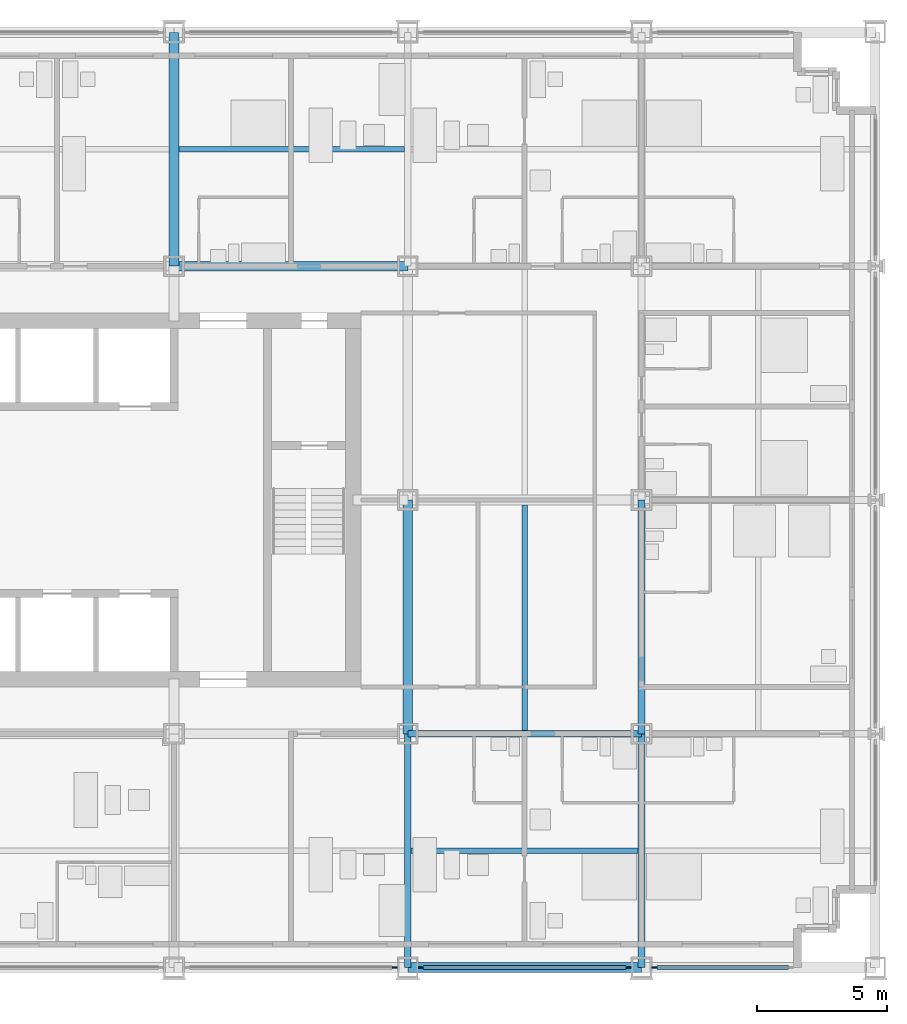
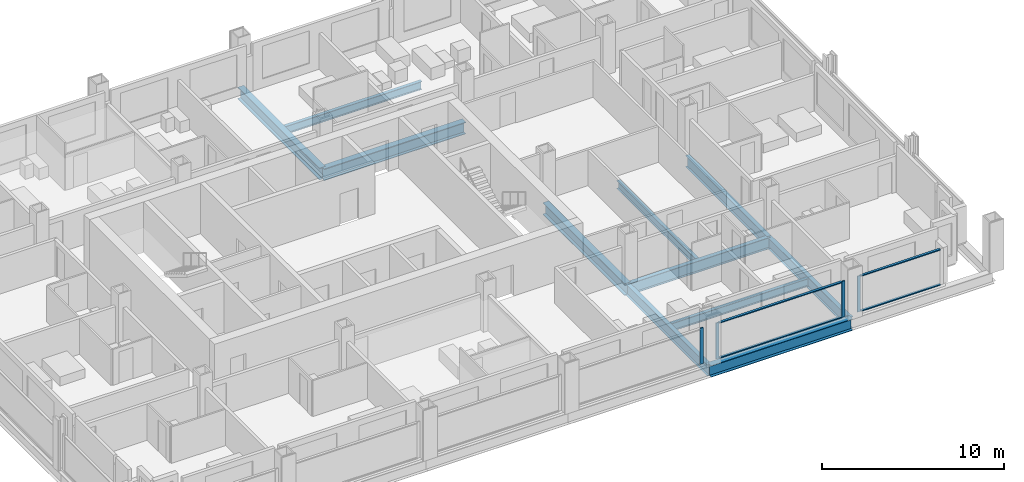
# One storey, part 5 of 18: 11 beams, 8 members, 3 elements without a shape of their own.
"""IFC4 building model written with IfcOpenShell, lengths in metres."""

from ifc_helpers import new_model, si_unit, direction, frame, origin, origin_2d, place, context, subcontext, project, spatial, rectangle, i_section, extrude, material, material_profile, profile_set, type_object, element, aggregate, save


model = new_model("IFC4")

# Units and contexts
model_context = context("Model", 3, precision=1e-05, world=origin(), true_north=direction((0.0, 1.0)))
body_context = subcontext(model_context, "Body", "Model", "MODEL_VIEW")
ifc_project = project(units=[si_unit("LENGTHUNIT", "METRE"), si_unit("AREAUNIT", "SQUARE_METRE"), si_unit("VOLUMEUNIT", "CUBIC_METRE"), si_unit("PLANEANGLEUNIT", "RADIAN"), si_unit("MASSUNIT", "GRAM", prefix="KILO")], contexts=[model_context])

# Site, building, storey
site_placement = place(None, origin())
site = spatial("IfcSite", under=ifc_project, at=site_placement, CompositionType="ELEMENT")
building_placement = place(site_placement, origin())
building = spatial("IfcBuilding", under=site, at=building_placement, Name="Loomwork Tower", CompositionType="ELEMENT")
storey_placement = place(building_placement, frame((0.0, 0.0, 79.0)))
storey = spatial("IfcBuildingStorey", under=building, at=storey_placement, Name="L20", CompositionType="ELEMENT", Elevation=79.0)

# Beams
ifc_material_1 = material(Name="Steel ASTM A992", Category="steel")
ifc_material_profile_1 = material_profile(ifc_material_1, i_section(OverallWidth=0.383544921875, OverallDepth=0.794921875, WebThickness=0.02099609375, FlangeThickness=0.0380859375, at=origin_2d()), Name="W30x235")
ifc_profile_set_1 = profile_set([ifc_material_profile_1], Name="Steel ASTM A992")
beam_type_1 = type_object("IfcBeamType", Name="CORE FLANK GIRDER W30x235", PredefinedType="BEAM", material=ifc_profile_set_1)
for number, where, z_axis, x_axis, name in (
    (1, (27.0, 27.0, -0.597412109375), (1.0, 0.0, 0.0), (0.0, 1.0, 0.0), "Core Flank Girder G/5-G/6 L20"),
    (2, (27.0, 27.0, -0.597412109375), (0.0, 1.0, 0.0), (-1.0, 0.0, 0.0), "Core Flank Girder G/5-H/5 L20"),
    (3, (36.0, 9.0, -0.597412109375), (0.0, 1.0, 0.0), (-1.0, 0.0, 0.0), "Core Flank Girder E/6-F/6 L20"),
):
    element("IfcBeam", number, at=place(storey_placement, frame(where, z_axis=z_axis, x_axis=x_axis)), inside=storey, type_object=beam_type_1, Name=name, PredefinedType="BEAM", context=body_context, shape_type="SweptSolid", body=[
        extrude(i_section(OverallWidth=0.383544921875, OverallDepth=0.794921875, WebThickness=0.02099609375, FlangeThickness=0.0380859375, at=origin_2d()), origin(), (0.0, 0.0, 1.0), 9.0),
    ])
ifc_material_2 = material(Name="Steel ASTM A992", Category="steel")
ifc_material_profile_2 = material_profile(ifc_material_2, i_section(OverallWidth=0.2666015625, OverallDepth=0.761962890625, WebThickness=0.014404296875, FlangeThickness=0.021484375, at=origin_2d()), Name="W30x116")
ifc_profile_set_2 = profile_set([ifc_material_profile_2], Name="Steel ASTM A992")
beam_type_2 = type_object("IfcBeamType", Name="FLOOR GIRDER W30x116", PredefinedType="BEAM", material=ifc_profile_set_2)
for number, where, z_axis, x_axis, name in (
    (4, (36.0, 9.0, -0.5810546875), (1.0, 0.0, 0.0), (0.0, 1.0, 0.0), "Floor Girder E/6-E/7 L20"),
    (5, (36.0, 0.0, -0.5810546875), (0.0, 1.0, 0.0), (-1.0, 0.0, 0.0), "Floor Girder D/6-E/6 L20"),
    (6, (45.0, 0.0, -0.5810546875), (0.0, 1.0, 0.0), (-1.0, 0.0, 0.0), "Floor Girder D/7-E/7 L20"),
    (7, (45.0, 9.0, -0.5810546875), (0.0, 1.0, 0.0), (-1.0, 0.0, 0.0), "Floor Girder E/7-F/7 L20"),
):
    element("IfcBeam", number, at=place(storey_placement, frame(where, z_axis=z_axis, x_axis=x_axis)), inside=storey, type_object=beam_type_2, Name=name, PredefinedType="BEAM", context=body_context, shape_type="SweptSolid", body=[
        extrude(i_section(OverallWidth=0.2666015625, OverallDepth=0.761962890625, WebThickness=0.014404296875, FlangeThickness=0.021484375, at=origin_2d()), origin(), (0.0, 0.0, 1.0), 9.0),
    ])
ifc_material_3 = material(Name="Steel ASTM A992", Category="steel")
ifc_material_profile_3 = material_profile(ifc_material_3, i_section(OverallWidth=0.2109375, OverallDepth=0.53857421875, WebThickness=0.011474609375, FlangeThickness=0.018798828125, at=origin_2d()), Name="W21x73")
ifc_profile_set_3 = profile_set([ifc_material_profile_3], Name="Steel ASTM A992")
beam_type_3 = type_object("IfcBeamType", Name="FLOOR JOIST W21x73", PredefinedType="JOIST", material=ifc_profile_set_3)
beam_1_placement = place(storey_placement, frame((27.19091796875, 31.5, -0.46923828125), z_axis=(1.0, 0.0, 0.0), x_axis=(0.0, 1.0, 0.0)))
element("IfcBeam", 8, at=beam_1_placement, inside=storey, type_object=beam_type_3, Name="Floor Joist 27.000,31.500-36.000,31.500 L20", PredefinedType="JOIST", context=body_context, shape_type="SweptSolid", body=[
    extrude(i_section(OverallWidth=0.2109375, OverallDepth=0.53857421875, WebThickness=0.011474609375, FlangeThickness=0.018798828125, at=origin_2d()), origin(), (0.0, 0.0, 1.0), 8.676025390625),
])
beam_2_placement = place(storey_placement, frame((36.133056640625, 4.5, -0.46923828125), z_axis=(1.0, 0.0, 0.0), x_axis=(0.0, 1.0, 0.0)))
element("IfcBeam", 9, at=beam_2_placement, inside=storey, type_object=beam_type_3, Name="Floor Joist 36.000,4.500-45.000,4.500 L20", PredefinedType="JOIST", context=body_context, shape_type="SweptSolid", body=[
    extrude(i_section(OverallWidth=0.2109375, OverallDepth=0.53857421875, WebThickness=0.011474609375, FlangeThickness=0.018798828125, at=origin_2d()), origin(), (0.0, 0.0, 1.0), 8.73388671875),
])
beam_3_placement = place(storey_placement, frame((40.5, 9.133056640625, -0.46923828125), z_axis=(0.0, 1.0, 0.0), x_axis=(-1.0, 0.0, 0.0)))
element("IfcBeam", 10, at=beam_3_placement, inside=storey, type_object=beam_type_3, Name="Floor Joist 40.500,9.000-40.500,18.000 L20", PredefinedType="JOIST", context=body_context, shape_type="SweptSolid", body=[
    extrude(i_section(OverallWidth=0.2109375, OverallDepth=0.53857421875, WebThickness=0.011474609375, FlangeThickness=0.018798828125, at=origin_2d()), origin(), (0.0, 0.0, 1.0), 8.676025390625),
])

# Curtain wall, member
ifc_material_4 = material(Name="Aluminium curtain wall frame", Category="aluminium")
curtain_wall_type = type_object("IfcCurtainWallType", Name="Outer skin glazing hotel", PredefinedType="NOTDEFINED", material=ifc_material_4)
curtain_wall_1_placement = place(storey_placement, origin())
curtain_wall_1 = element("IfcCurtainWall", 11, at=curtain_wall_1_placement, inside=storey, type_object=curtain_wall_type, Name="Outer skin glazing hotel cw/S-27", PredefinedType="NOTDEFINED")
ifc_material_5 = material(Name="Aluminium curtain wall frame", Category="aluminium")
ifc_material_profile_4 = material_profile(ifc_material_5, rectangle(XDim=0.06494140625, YDim=0.199951171875, at=origin_2d()), Name="AL 65x200")
ifc_profile_set_4 = profile_set([ifc_material_profile_4], Name="Aluminium curtain wall frame")
member_type_1 = type_object("IfcMemberType", Name="Outer skin glazing hotel mullion", PredefinedType="MULLION", material=ifc_profile_set_4)
member_1_placement = place(storey_placement, frame((35.5, 0.0, 0.0), z_axis=(0.0, 0.0, 1.0), x_axis=(0.0, 1.0, 0.0)))
member_1 = element("IfcMember", 12, at=member_1_placement, type_object=member_type_1, Name="CW1 mullion 2", PredefinedType="MULLION", context=body_context, shape_type="SweptSolid", body=[
    extrude(rectangle(XDim=0.06494140625, YDim=0.199951171875, at=origin_2d()), origin(), (0.0, 0.0, 1.0), 2.420166015625),
])
aggregate(curtain_wall_1, [member_1])

# Curtain wall, members
curtain_wall_2_placement = place(storey_placement, origin())
curtain_wall_2 = element("IfcCurtainWall", 13, at=curtain_wall_2_placement, inside=storey, type_object=curtain_wall_type, Name="Outer skin glazing hotel cw/S-36", PredefinedType="NOTDEFINED")
member_2_placement = place(storey_placement, frame((36.5, 0.0, 0.0), z_axis=(0.0, 0.0, 1.0), x_axis=(0.0, 1.0, 0.0)))
member_2 = element("IfcMember", 14, at=member_2_placement, type_object=member_type_1, Name="CW1 mullion 1", PredefinedType="MULLION", context=body_context, shape_type="SweptSolid", body=[
    extrude(rectangle(XDim=0.06494140625, YDim=0.199951171875, at=origin_2d()), origin(), (0.0, 0.0, 1.0), 2.420166015625),
])
member_3_placement = place(storey_placement, frame((44.5, 0.0, 0.0), z_axis=(0.0, 0.0, 1.0), x_axis=(0.0, 1.0, 0.0)))
member_3 = element("IfcMember", 15, at=member_3_placement, type_object=member_type_1, Name="CW1 mullion 2", PredefinedType="MULLION", context=body_context, shape_type="SweptSolid", body=[
    extrude(rectangle(XDim=0.06494140625, YDim=0.199951171875, at=origin_2d()), origin(), (0.0, 0.0, 1.0), 2.420166015625),
])

# Curtain wall, member
curtain_wall_3_placement = place(storey_placement, origin())
curtain_wall_3 = element("IfcCurtainWall", 16, at=curtain_wall_3_placement, inside=storey, type_object=curtain_wall_type, Name="Outer skin glazing hotel cw/S-45", PredefinedType="NOTDEFINED")
member_4_placement = place(storey_placement, frame((45.5, 0.0, 0.0), z_axis=(0.0, 0.0, 1.0), x_axis=(0.0, 1.0, 0.0)))
member_4 = element("IfcMember", 17, at=member_4_placement, type_object=member_type_1, Name="CW1 mullion 1", PredefinedType="MULLION", context=body_context, shape_type="SweptSolid", body=[
    extrude(rectangle(XDim=0.06494140625, YDim=0.199951171875, at=origin_2d()), origin(), (0.0, 0.0, 1.0), 2.420166015625),
])

# Member
ifc_material_6 = material(Name="Aluminium curtain wall frame", Category="aluminium")
ifc_material_profile_5 = material_profile(ifc_material_6, rectangle(XDim=0.14990234375, YDim=0.06494140625, at=origin_2d()), Name="AL 65x150")
ifc_profile_set_5 = profile_set([ifc_material_profile_5], Name="Aluminium curtain wall frame")
member_type_2 = type_object("IfcMemberType", Name="Outer skin glazing hotel transom", PredefinedType="USERDEFINED", material=ifc_profile_set_5)
member_5_placement = place(storey_placement, frame((36.60009765625, 0.0, 0.032470703125), z_axis=(1.0, 0.0, 0.0), x_axis=(0.0, 1.0, 0.0)))
member_5 = element("IfcMember", 18, at=member_5_placement, type_object=member_type_2, Name="CW1 transom 1.1", ObjectType="TRANSOM", PredefinedType="USERDEFINED", context=body_context, shape_type="SweptSolid", body=[
    extrude(rectangle(XDim=0.14990234375, YDim=0.06494140625, at=origin_2d()), origin(), (0.0, 0.0, 1.0), 7.7998046875),
])

member_6_placement = place(storey_placement, frame((36.60009765625, 0.0, 2.3876953125), z_axis=(1.0, 0.0, 0.0), x_axis=(0.0, 1.0, 0.0)))
member_6 = element("IfcMember", 19, at=member_6_placement, type_object=member_type_2, Name="CW1 transom 1.2", ObjectType="TRANSOM", PredefinedType="USERDEFINED", context=body_context, shape_type="SweptSolid", body=[
    extrude(rectangle(XDim=0.14990234375, YDim=0.06494140625, at=origin_2d()), origin(), (0.0, 0.0, 1.0), 7.7998046875),
])

aggregate(curtain_wall_2, [member_2, member_3, member_5, member_6])

member_7_placement = place(storey_placement, frame((45.60009765625, 0.0, 0.032470703125), z_axis=(1.0, 0.0, 0.0), x_axis=(0.0, 1.0, 0.0)))
member_7 = element("IfcMember", 20, at=member_7_placement, type_object=member_type_2, Name="CW1 transom 1.1", ObjectType="TRANSOM", PredefinedType="USERDEFINED", context=body_context, shape_type="SweptSolid", body=[
    extrude(rectangle(XDim=0.14990234375, YDim=0.06494140625, at=origin_2d()), origin(), (0.0, 0.0, 1.0), 5.0498046875),
])

member_8_placement = place(storey_placement, frame((45.60009765625, 0.0, 2.3876953125), z_axis=(1.0, 0.0, 0.0), x_axis=(0.0, 1.0, 0.0)))
member_8 = element("IfcMember", 21, at=member_8_placement, type_object=member_type_2, Name="CW1 transom 1.2", ObjectType="TRANSOM", PredefinedType="USERDEFINED", context=body_context, shape_type="SweptSolid", body=[
    extrude(rectangle(XDim=0.14990234375, YDim=0.06494140625, at=origin_2d()), origin(), (0.0, 0.0, 1.0), 5.0498046875),
])

aggregate(curtain_wall_3, [member_4, member_7, member_8])

# Beam
ifc_material_7 = material(Name="Steel ASTM A992", Category="steel")
ifc_material_profile_6 = material_profile(ifc_material_7, i_section(OverallWidth=0.381103515625, OverallDepth=0.77978515625, WebThickness=0.01806640625, FlangeThickness=0.0302734375, at=origin_2d()), Name="W30x191")
ifc_profile_set_6 = profile_set([ifc_material_profile_6], Name="Steel ASTM A992")
beam_type_4 = type_object("IfcBeamType", Name="SPANDREL GIRDER W30x191", PredefinedType="SPANDREL", material=ifc_profile_set_6)
beam_4_placement = place(storey_placement, frame((36.0, 0.0, -0.58984375), z_axis=(1.0, 0.0, 0.0), x_axis=(0.0, 1.0, 0.0)))
element("IfcBeam", 22, at=beam_4_placement, inside=storey, type_object=beam_type_4, Name="Spandrel Girder D/6-D/7 L20", PredefinedType="SPANDREL", context=body_context, shape_type="SweptSolid", body=[
    extrude(i_section(OverallWidth=0.381103515625, OverallDepth=0.77978515625, WebThickness=0.01806640625, FlangeThickness=0.0302734375, at=origin_2d()), origin(), (0.0, 0.0, 1.0), 9.0),
])

save(model, "model.ifc")
